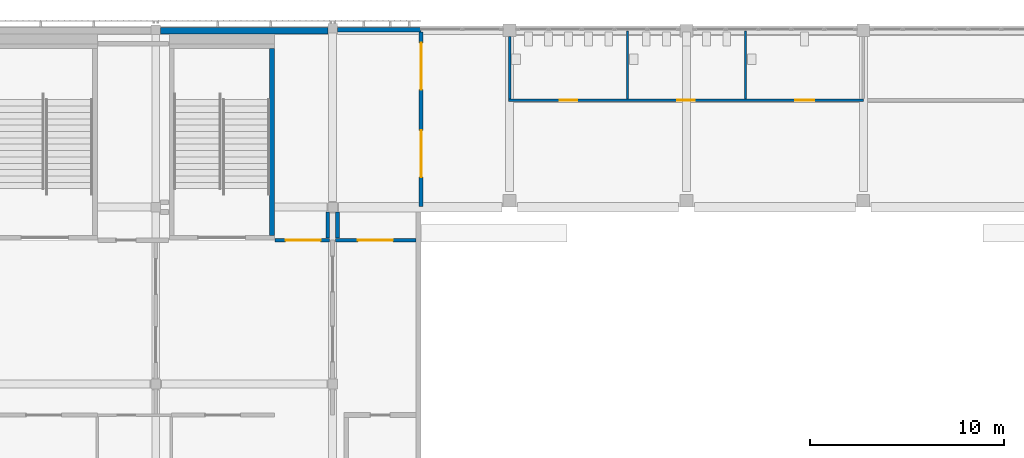
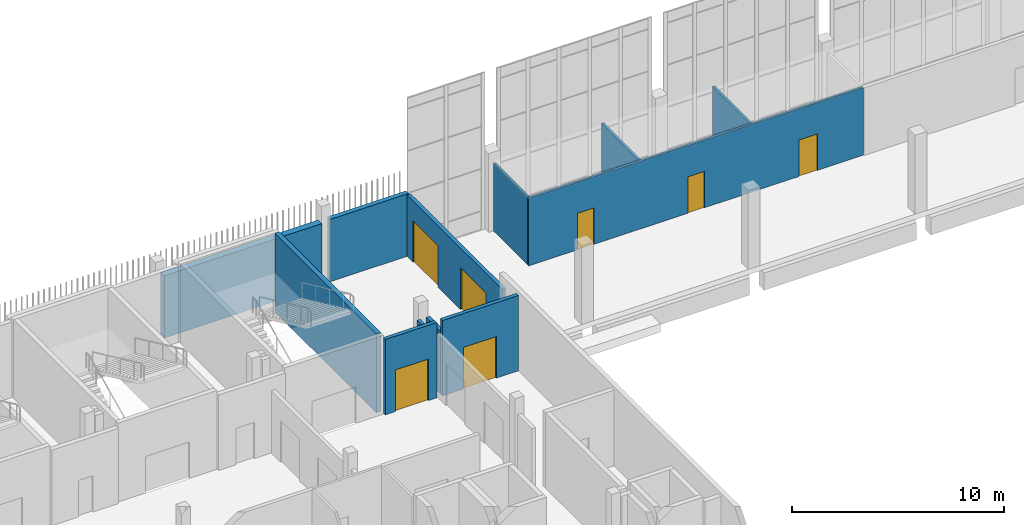
# One storey, part 50 of 91: 12 walls, 7 doors, 7 openings.
"""IFC4 building model written with IfcOpenShell, lengths in metres."""

from ifc_helpers import new_model, si_unit, direction, frame, frame_2d, origin, place, context, subcontext, project, spatial, rectangle, extrude, material, layer, layer_set, type_object, element, fill, save


model = new_model("IFC4")

# Units and contexts
model_context = context("Model", 3, precision=1e-05, world=origin(), true_north=direction((0.0, 1.0)))
body_context = subcontext(model_context, "Body", "Model", "MODEL_VIEW")
ifc_project = project(units=[si_unit("LENGTHUNIT", "METRE"), si_unit("AREAUNIT", "SQUARE_METRE"), si_unit("VOLUMEUNIT", "CUBIC_METRE"), si_unit("PLANEANGLEUNIT", "RADIAN"), si_unit("MASSUNIT", "GRAM", prefix="KILO")], contexts=[model_context])

# Site, building, storey
site_placement = place(None, origin())
site = spatial("IfcSite", under=ifc_project, at=site_placement, CompositionType="ELEMENT")
building_placement = place(site_placement, origin())
building = spatial("IfcBuilding", under=site, at=building_placement, Name="Shirokan Park Arena", CompositionType="ELEMENT")
storey_placement = place(building_placement, frame((0.0, 0.0, 24.570068359375)))
storey = spatial("IfcBuildingStorey", under=building, at=storey_placement, Name="L05", CompositionType="ELEMENT", Elevation=24.570068359375)

# Wall, opening, door
ifc_material_1 = material(Name="Gypsum board")
ifc_layer_1 = layer(ifc_material_1, 0.02490234375, Name="Gypsum board, two layers")
ifc_material_2 = material(Name="Mineral wool insulation")
ifc_layer_2 = layer(ifc_material_2, 0.14990234375, Name="Mineral wool insulation")
ifc_layer_3 = layer(ifc_material_1, 0.02490234375, Name="Gypsum board, two layers")
ifc_layer_set_1 = layer_set([ifc_layer_1, ifc_layer_2, ifc_layer_3], Name="Gypsum board, two layers + Mineral wool insulation")
wall_type_1 = type_object("IfcWallType", Name="Corridor wall 200", PredefinedType="PARTITIONING", material=ifc_layer_set_1)
wall_1_placement = place(storey_placement, frame((33.429931640625, 98.39990234375, 0.0), z_axis=(0.0, 0.0, 1.0), x_axis=(1.0, 0.0, 0.0)))
wall_1 = element("IfcWall", 1, at=wall_1_placement, inside=storey, type_object=wall_type_1, Name="Corridor wall 200 L05", PredefinedType="PARTITIONING", context=body_context, shape_type="SweptSolid", body=[
    extrude(rectangle(XDim=2.820068359375, YDim=0.199951171875, at=frame_2d((1.41015625, 0.0))), origin(), (0.0, 0.0, 1.0), 4.349853515625),
])
opening_1_placement = place(wall_1_placement, frame((0.550048828125, 0.0, 0.0)))
opening_1 = element("IfcOpeningElement", 2, at=opening_1_placement, cuts=wall_1, Name="Opening D-5118", PredefinedType="OPENING", context=body_context, shape_type="SweptSolid", body=[
    extrude(rectangle(XDim=1.800048828125, YDim=2.39990234375, at=frame_2d((0.89990234375, 1.199951171875))), frame((0.0, 0.10986328125, 0.0), z_axis=(0.0, -1.0, 0.0), x_axis=(1.0, 0.0, 0.0)), (0.0, 0.0, 1.0), 0.219970703125),
])
ifc_material_3 = material(Name="Glazed steel door set, fire resisting", Category="steel")
door_type_1 = type_object("IfcDoorType", Name="Lift lobby door 1800 x 2400", OperationType="DOUBLE_DOOR_SINGLE_SWING", PredefinedType="DOOR", material=ifc_material_3)
door_1_placement = place(opening_1_placement, origin())
door_1 = element("IfcDoor", 3, at=door_1_placement, inside=storey, type_object=door_type_1, Name="Door between Kiosk Court 4.5.3 and Ring Link 4.5 D-5118", OperationType="DOUBLE_DOOR_SINGLE_SWING", OverallHeight=2.39990234375, OverallWidth=1.800048828125, PredefinedType="DOOR", context=body_context, shape_type="SweptSolid", body=[
    extrude(rectangle(XDim=1.800048828125, YDim=2.39990234375, at=frame_2d((0.89990234375, 1.199951171875))), frame((0.0, 0.02490234375, 0.0), z_axis=(0.0, -1.0, 0.0), x_axis=(1.0, 0.0, 0.0)), (0.0, 0.0, 1.0), 0.050048828125),
])
fill(opening_1, door_1)

# Wall
wall_2_placement = place(storey_placement, frame((36.14990234375, 98.5, 0.0), z_axis=(0.0, 0.0, 1.0), x_axis=(0.0, 1.0, 0.0)))
element("IfcWall", 4, at=wall_2_placement, inside=storey, type_object=wall_type_1, Name="Corridor wall 200 L05", PredefinedType="PARTITIONING", context=body_context, shape_type="SweptSolid", body=[
    extrude(rectangle(XDim=1.35009765625, YDim=0.199951171875, at=frame_2d((0.675048828125, 0.0))), origin(), (0.0, 0.0, 1.0), 3.599853515625),
])

# Wall, opening, door
wall_3_placement = place(storey_placement, frame((36.550048828125, 98.39990234375, 0.0), z_axis=(0.0, 0.0, 1.0), x_axis=(1.0, 0.0, 0.0)))
wall_3 = element("IfcWall", 5, at=wall_3_placement, inside=storey, type_object=wall_type_1, Name="Corridor wall 200 L05", PredefinedType="PARTITIONING", context=body_context, shape_type="SweptSolid", body=[
    extrude(rectangle(XDim=4.14990234375, YDim=0.199951171875, at=frame_2d((2.074951171875, 0.0))), origin(), (0.0, 0.0, 1.0), 4.349853515625),
])
opening_2_placement = place(wall_3_placement, frame((1.14990234375, 0.0, 0.0)))
opening_2 = element("IfcOpeningElement", 6, at=opening_2_placement, cuts=wall_3, Name="Opening D-5119", PredefinedType="OPENING", context=body_context, shape_type="SweptSolid", body=[
    extrude(rectangle(XDim=1.800048828125, YDim=2.39990234375, at=frame_2d((0.89990234375, 1.199951171875))), frame((0.0, 0.10986328125, 0.0), z_axis=(0.0, -1.0, 0.0), x_axis=(1.0, 0.0, 0.0)), (0.0, 0.0, 1.0), 0.219970703125),
])
door_2_placement = place(opening_2_placement, origin())
door_2 = element("IfcDoor", 7, at=door_2_placement, inside=storey, type_object=door_type_1, Name="Door between Staff Lobby 4.5.4 and Ring Link 4.5 D-5119", OperationType="DOUBLE_DOOR_SINGLE_SWING", OverallHeight=2.39990234375, OverallWidth=1.800048828125, PredefinedType="DOOR", context=body_context, shape_type="SweptSolid", body=[
    extrude(rectangle(XDim=1.800048828125, YDim=2.39990234375, at=frame_2d((0.89990234375, 1.199951171875))), frame((0.0, 0.02490234375, 0.0), z_axis=(0.0, -1.0, 0.0), x_axis=(1.0, 0.0, 0.0)), (0.0, 0.0, 1.0), 0.050048828125),
])
fill(opening_2, door_2)

# Wall
wall_4_placement = place(storey_placement, frame((36.64990234375, 99.85009765625, 0.0), z_axis=(0.0, 0.0, 1.0), x_axis=(0.0, -1.0, 0.0)))
element("IfcWall", 8, at=wall_4_placement, inside=storey, type_object=wall_type_1, Name="Corridor wall 200 L05", PredefinedType="PARTITIONING", context=body_context, shape_type="SweptSolid", body=[
    extrude(rectangle(XDim=1.35009765625, YDim=0.199951171875, at=frame_2d((0.675048828125, 0.0))), origin(), (0.0, 0.0, 1.0), 3.599853515625),
])

# Wall, openings, doors
wall_5_placement = place(storey_placement, frame((40.949951171875, 100.1298828125, 0.0), z_axis=(0.0, 0.0, 1.0), x_axis=(0.0, 1.0, 0.0)))
wall_5 = element("IfcWall", 9, at=wall_5_placement, inside=storey, type_object=wall_type_1, Name="Corridor wall 200 L05", PredefinedType="PARTITIONING", context=body_context, shape_type="SweptSolid", body=[
    extrude(rectangle(XDim=8.97021484375, YDim=0.199951171875, at=frame_2d((4.485107421875, 0.0))), origin(), (0.0, 0.0, 1.0), 3.550048828125),
])
opening_3_placement = place(wall_5_placement, frame((1.52001953125, 0.0, 0.0)))
opening_3 = element("IfcOpeningElement", 10, at=opening_3_placement, cuts=wall_5, Name="Opening D-5122", PredefinedType="OPENING", context=body_context, shape_type="SweptSolid", body=[
    extrude(rectangle(XDim=2.39990234375, YDim=2.39990234375, at=frame_2d((1.199951171875, 1.199951171875))), frame((0.0, 0.10986328125, 0.0), z_axis=(0.0, -1.0, 0.0), x_axis=(1.0, 0.0, 0.0)), (0.0, 0.0, 1.0), 0.219970703125),
])
opening_4_placement = place(wall_5_placement, frame((6.02001953125, 0.0, 0.0)))
opening_4 = element("IfcOpeningElement", 11, at=opening_4_placement, cuts=wall_5, Name="Opening D-5123", PredefinedType="OPENING", context=body_context, shape_type="SweptSolid", body=[
    extrude(rectangle(XDim=2.39990234375, YDim=2.39990234375, at=frame_2d((1.199951171875, 1.199951171875))), frame((0.0, 0.10986328125, 0.0), z_axis=(0.0, -1.0, 0.0), x_axis=(1.0, 0.0, 0.0)), (0.0, 0.0, 1.0), 0.219970703125),
])
ifc_material_4 = material(Name="Steel door set, fire resisting", Category="steel")
door_type_2 = type_object("IfcDoorType", Name="Double door 2400 x 2400", OperationType="DOUBLE_DOOR_SINGLE_SWING", PredefinedType="DOOR", material=ifc_material_4)
door_3_placement = place(opening_3_placement, origin())
door_3 = element("IfcDoor", 12, at=door_3_placement, inside=storey, type_object=door_type_2, Name="Door between Ring Link 4.5 and Concourse L05 North Hall D-5122", OperationType="DOUBLE_DOOR_SINGLE_SWING", OverallHeight=2.39990234375, OverallWidth=2.39990234375, PredefinedType="DOOR", context=body_context, shape_type="SweptSolid", body=[
    extrude(rectangle(XDim=2.39990234375, YDim=2.39990234375, at=frame_2d((1.199951171875, 1.199951171875))), frame((0.0, 0.02490234375, 0.0), z_axis=(0.0, -1.0, 0.0), x_axis=(1.0, 0.0, 0.0)), (0.0, 0.0, 1.0), 0.050048828125),
])
fill(opening_3, door_3)
door_4_placement = place(opening_4_placement, origin())
door_4 = element("IfcDoor", 13, at=door_4_placement, inside=storey, type_object=door_type_2, Name="Door between Ring Link 4.5 and Concourse L05 North Hall D-5123", OperationType="DOUBLE_DOOR_SINGLE_SWING", OverallHeight=2.39990234375, OverallWidth=2.39990234375, PredefinedType="DOOR", context=body_context, shape_type="SweptSolid", body=[
    extrude(rectangle(XDim=2.39990234375, YDim=2.39990234375, at=frame_2d((1.199951171875, 1.199951171875))), frame((0.0, 0.02490234375, 0.0), z_axis=(0.0, -1.0, 0.0), x_axis=(1.0, 0.0, 0.0)), (0.0, 0.0, 1.0), 0.050048828125),
])
fill(opening_4, door_4)

# Wall
ifc_material_5 = material(Name="Cedar cladding")
ifc_layer_4 = layer(ifc_material_5, 0.030029296875, Name="Cedar cladding")
ifc_layer_5 = layer(ifc_material_2, 0.10009765625, Name="Mineral wool insulation")
ifc_material_6 = material(Name="Concrete C35", Category="concrete")
ifc_layer_6 = layer(ifc_material_6, 0.199951171875, Name="Concrete C35")
ifc_material_7 = material(Name="Gypsum board lining")
ifc_layer_7 = layer(ifc_material_7, 0.02001953125, Name="Gypsum board lining")
ifc_layer_set_2 = layer_set([ifc_layer_4, ifc_layer_5, ifc_layer_6, ifc_layer_7], Name="Cedar cladding + Mineral wool insulation + Concrete C35 + Gypsum board lining")
wall_type_2 = type_object("IfcWallType", Name="Insulated tower wall 350", PredefinedType="SOLIDWALL", material=ifc_layer_set_2)
wall_6_placement = place(storey_placement, frame((36.14990234375, 109.175048828125, 0.0), z_axis=(0.0, 0.0, 1.0), x_axis=(-1.0, 0.0, 0.0)))
element("IfcWall", 14, at=wall_6_placement, inside=storey, type_object=wall_type_2, Name="North facade wall bay 13 L05", PredefinedType="SOLIDWALL", context=body_context, shape_type="SweptSolid", body=[
    extrude(rectangle(XDim=8.599853515625, YDim=0.35009765625, at=frame_2d((4.2998046875, 0.0))), origin(), (0.0, 0.0, 1.0), 3.599853515625),
])

# Wall, openings, doors
ifc_layer_8 = layer(ifc_material_6, 0.125)
ifc_layer_set_3 = layer_set([ifc_layer_8], Name="Concrete C35 125 mm")
wall_type_3 = type_object("IfcWallType", Name="Pavilion RC wall 125", PredefinedType="SOLIDWALL", material=ifc_layer_set_3)
wall_7_placement = place(storey_placement, frame((45.4375, 105.60009765625, 0.0), z_axis=(0.0, 0.0, 1.0), x_axis=(1.0, 0.0, 0.0)))
wall_7 = element("IfcWall", 15, at=wall_7_placement, inside=storey, type_object=wall_type_3, Name="Wet-area wall 125 L05", PredefinedType="PARTITIONING", context=body_context, shape_type="SweptSolid", body=[
    extrude(rectangle(XDim=18.262451171875, YDim=0.125, at=frame_2d((9.13134765625, 0.0))), origin(), (0.0, 0.0, 1.0), 3.89990234375),
])
opening_5_placement = place(wall_7_placement, frame((2.64990234375, 0.0, 0.0)))
opening_5 = element("IfcOpeningElement", 16, at=opening_5_placement, cuts=wall_7, Name="Opening D-5047", PredefinedType="OPENING", context=body_context, shape_type="SweptSolid", body=[
    extrude(rectangle(XDim=0.89990234375, YDim=2.10009765625, at=frame_2d((0.449951171875, 1.050048828125))), frame((0.0, 0.072509765625, 0.0), z_axis=(0.0, -1.0, 0.0), x_axis=(1.0, 0.0, 0.0)), (0.0, 0.0, 1.0), 0.14501953125),
])
opening_6_placement = place(wall_7_placement, frame((8.67919921875, 0.0, 0.0)))
opening_6 = element("IfcOpeningElement", 17, at=opening_6_placement, cuts=wall_7, Name="Opening D-5048", PredefinedType="OPENING", context=body_context, shape_type="SweptSolid", body=[
    extrude(rectangle(XDim=0.89990234375, YDim=2.10009765625, at=frame_2d((0.449951171875, 1.050048828125))), frame((0.0, 0.072509765625, 0.0), z_axis=(0.0, -1.0, 0.0), x_axis=(1.0, 0.0, 0.0)), (0.0, 0.0, 1.0), 0.14501953125),
])
opening_7_placement = place(wall_7_placement, frame((14.745849609375, 0.0, 0.0)))
opening_7 = element("IfcOpeningElement", 18, at=opening_7_placement, cuts=wall_7, Name="Opening D-5049", PredefinedType="OPENING", context=body_context, shape_type="SweptSolid", body=[
    extrude(rectangle(XDim=1.0, YDim=2.10009765625, at=frame_2d((0.5, 1.050048828125))), frame((0.0, 0.072509765625, 0.0), z_axis=(0.0, -1.0, 0.0), x_axis=(1.0, 0.0, 0.0)), (0.0, 0.0, 1.0), 0.14501953125),
])
ifc_material_8 = material(Name="Timber door set, fire resisting", Category="wood")
door_type_3 = type_object("IfcDoorType", Name="Accessible WC door 1000 x 2100", OperationType="SINGLE_SWING_RIGHT", PredefinedType="DOOR", material=ifc_material_8)
door_5_placement = place(opening_7_placement, origin())
door_5 = element("IfcDoor", 19, at=door_5_placement, inside=storey, type_object=door_type_3, Name="Door to Accessible WC 5.33 D-5049", OperationType="SINGLE_SWING_LEFT", OverallHeight=2.10009765625, OverallWidth=1.0, PredefinedType="DOOR", context=body_context, shape_type="SweptSolid", body=[
    extrude(rectangle(XDim=1.0, YDim=2.10009765625, at=frame_2d((0.5, 1.050048828125))), frame((0.0, 0.02490234375, 0.0), z_axis=(0.0, -1.0, 0.0), x_axis=(1.0, 0.0, 0.0)), (0.0, 0.0, 1.0), 0.050048828125),
])
fill(opening_7, door_5)
door_type_4 = type_object("IfcDoorType", Name="Door 900 x 2100", OperationType="SINGLE_SWING_LEFT", PredefinedType="DOOR", material=ifc_material_8)
door_6_placement = place(opening_5_placement, origin())
door_6 = element("IfcDoor", 20, at=door_6_placement, inside=storey, type_object=door_type_4, Name="Door to Men's WC 5.31 D-5047", OperationType="SINGLE_SWING_LEFT", OverallHeight=2.10009765625, OverallWidth=0.89990234375, PredefinedType="DOOR", context=body_context, shape_type="SweptSolid", body=[
    extrude(rectangle(XDim=0.89990234375, YDim=2.10009765625, at=frame_2d((0.449951171875, 1.050048828125))), frame((0.0, 0.02490234375, 0.0), z_axis=(0.0, -1.0, 0.0), x_axis=(1.0, 0.0, 0.0)), (0.0, 0.0, 1.0), 0.050048828125),
])
fill(opening_5, door_6)
door_7_placement = place(opening_6_placement, origin())
door_7 = element("IfcDoor", 21, at=door_7_placement, inside=storey, type_object=door_type_4, Name="Door to Women's WC 5.32 D-5048", OperationType="SINGLE_SWING_RIGHT", OverallHeight=2.10009765625, OverallWidth=0.89990234375, PredefinedType="DOOR", context=body_context, shape_type="SweptSolid", body=[
    extrude(rectangle(XDim=0.89990234375, YDim=2.10009765625, at=frame_2d((0.449951171875, 1.050048828125))), frame((0.0, 0.02490234375, 0.0), z_axis=(0.0, -1.0, 0.0), x_axis=(1.0, 0.0, 0.0)), (0.0, 0.0, 1.0), 0.050048828125),
])
fill(opening_6, door_7)

# Walls
wall_8_placement = place(storey_placement, frame((45.5, 108.875, 0.0), z_axis=(0.0, 0.0, 1.0), x_axis=(0.0, -1.0, 0.0)))
element("IfcWall", 22, at=wall_8_placement, inside=storey, type_object=wall_type_3, Name="Wet-area wall 125 L05", PredefinedType="PARTITIONING", context=body_context, shape_type="SweptSolid", body=[
    extrude(rectangle(XDim=3.21240234375, YDim=0.125, at=frame_2d((1.606201171875, 0.0))), origin(), (0.0, 0.0, 1.0), 3.89990234375),
])
for number, where, z_axis, x_axis, name in (
    (23, (51.566650390625, 109.169921875, 0.0), (0.0, 0.0, 1.0), (0.0, -1.0, 0.0), "Wet-area wall 125 L05"),
    (24, (57.63330078125, 109.169921875, 0.0), (0.0, 0.0, 1.0), (0.0, -1.0, 0.0), "Wet-area wall 125 L05"),
):
    element("IfcWall", number, at=place(storey_placement, frame(where, z_axis=z_axis, x_axis=x_axis)), inside=storey, type_object=wall_type_3, Name=name, PredefinedType="PARTITIONING", context=body_context, shape_type="SweptSolid", body=[
        extrude(rectangle(XDim=3.50732421875, YDim=0.125, at=frame_2d((1.753662109375, 0.0))), origin(), (0.0, 0.0, 1.0), 3.89990234375),
    ])
ifc_material_9 = material(Name="Concrete C40/50 precast", Category="concrete")
ifc_layer_9 = layer(ifc_material_9, 0.10009765625, Name="Concrete C40/50 precast")
ifc_layer_10 = layer(ifc_material_2, 0.10009765625, Name="Mineral wool insulation")
ifc_layer_11 = layer(ifc_material_7, 0.050048828125, Name="Gypsum board lining")
ifc_layer_set_4 = layer_set([ifc_layer_9, ifc_layer_10, ifc_layer_11], Name="Concrete C40/50 precast + Mineral wool insulation + Gypsum board lining")
wall_type_4 = type_object("IfcWallType", Name="Precast concrete panel wall 250", PredefinedType="SOLIDWALL", material=ifc_layer_set_4)
wall_9_placement = place(storey_placement, frame((40.949951171875, 109.22509765625, 0.0), z_axis=(0.0, 0.0, 1.0), x_axis=(-1.0, 0.0, 0.0)))
element("IfcWall", 25, at=wall_9_placement, inside=storey, type_object=wall_type_4, Name="North facade wall bay 12 L05", PredefinedType="SOLIDWALL", context=body_context, shape_type="SweptSolid", body=[
    extrude(rectangle(XDim=4.300048828125, YDim=0.25, at=frame_2d((2.14990234375, 0.0))), origin(), (0.0, 0.0, 1.0), 3.599853515625),
])
ifc_material_10 = material(Name="Concrete C40/50", Category="concrete")
ifc_layer_12 = layer(ifc_material_10, 0.25)
ifc_layer_set_5 = layer_set([ifc_layer_12], Name="Concrete C40/50 250 mm")
wall_type_5 = type_object("IfcWallType", Name="RC shear wall 250", PredefinedType="SHEAR", material=ifc_layer_set_5)
wall_10_placement = place(storey_placement, frame((33.27490234375, 108.25, 0.0), z_axis=(0.0, 0.0, 1.0), x_axis=(0.0, -1.0, 0.0)))
element("IfcWall", 26, at=wall_10_placement, inside=storey, type_object=wall_type_5, Name="Shaft wall Exit Stair 4.D E L05", PredefinedType="SHEAR", context=body_context, shape_type="SweptSolid", body=[
    extrude(rectangle(XDim=9.60009765625, YDim=0.25, at=frame_2d((4.800048828125, 0.0))), origin(), (0.0, 0.0, 1.0), 4.550048828125),
])

save(model, "model.ifc")
